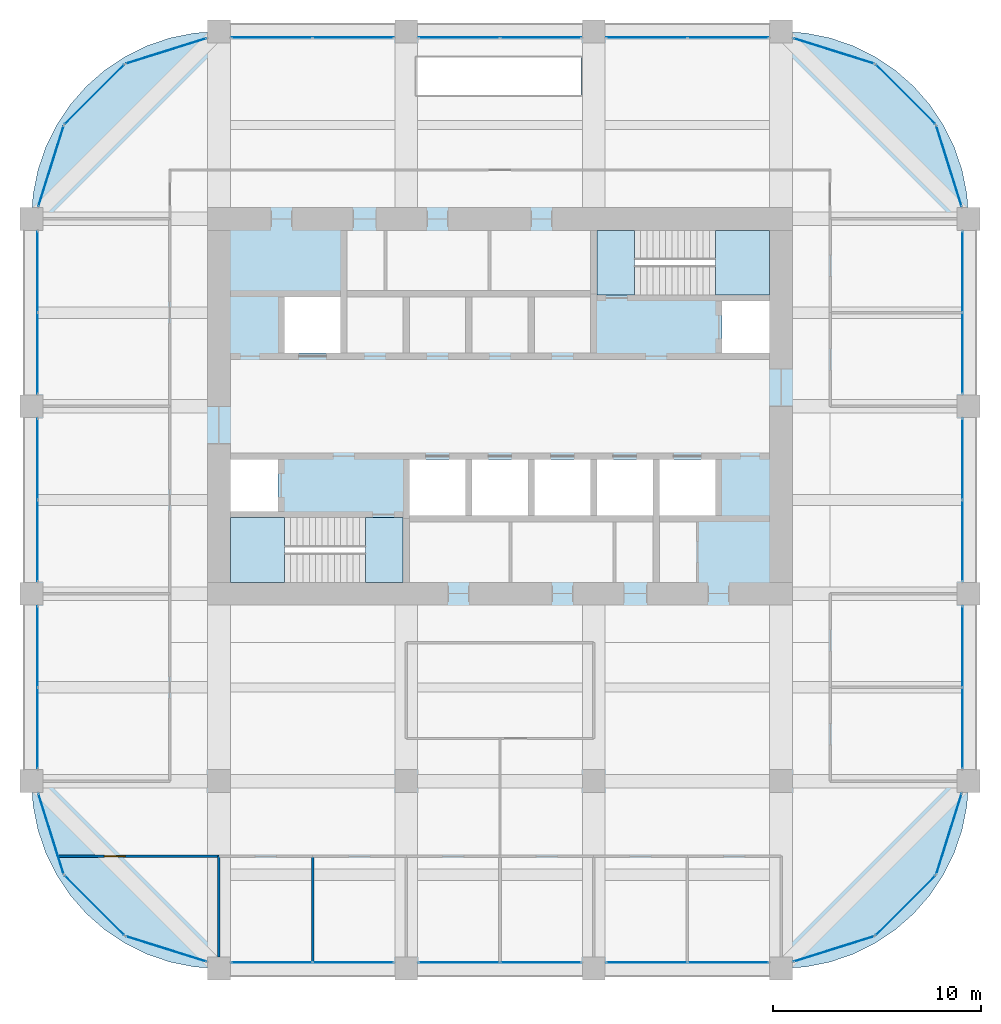
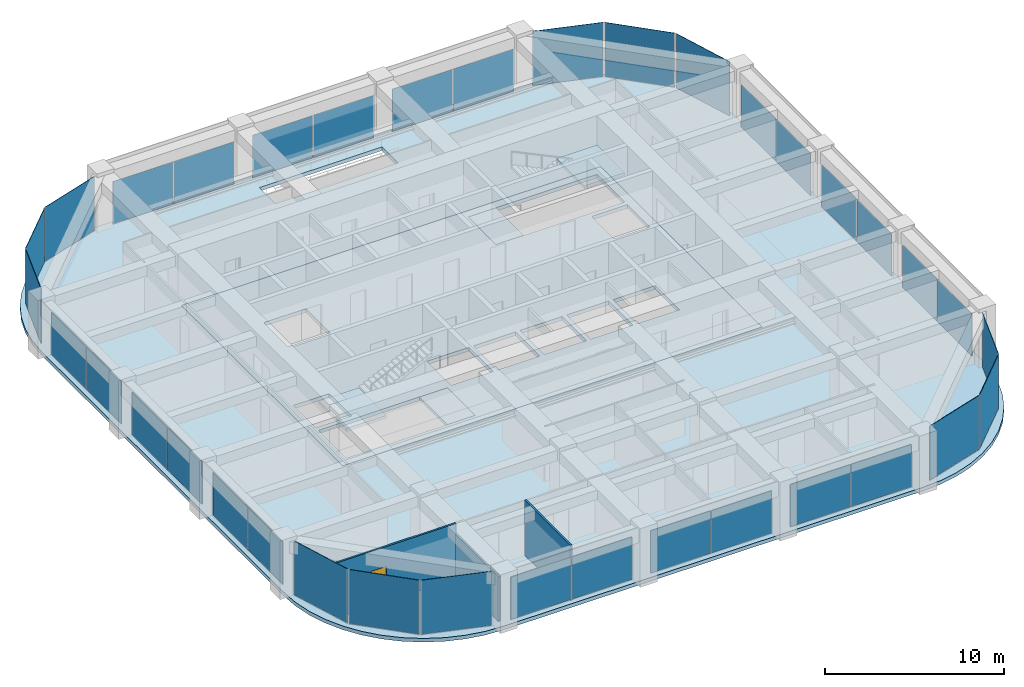
# One storey, part 40 of 44: 36 plates, 6 slabs, 3 walls, 1 door, 1 opening, 26 elements without a shape of their own.
"""IFC4 building model written with IfcOpenShell, lengths in metres."""

from ifc_helpers import new_model, si_unit, direction, frame, frame_2d, origin, origin_2d, place, context, subcontext, project, spatial, polyline, rectangle, outline, extrude, material, layer, layer_set, type_object, element, fill, aggregate, save


model = new_model("IFC4")

# Units and contexts
model_context = context("Model", 3, precision=1e-05, world=origin(), true_north=direction((0.0, 1.0)))
body_context = subcontext(model_context, "Body", "Model", "MODEL_VIEW")
ifc_project = project(units=[si_unit("LENGTHUNIT", "METRE"), si_unit("AREAUNIT", "SQUARE_METRE"), si_unit("VOLUMEUNIT", "CUBIC_METRE"), si_unit("PLANEANGLEUNIT", "RADIAN"), si_unit("MASSUNIT", "GRAM", prefix="KILO")], contexts=[model_context])

# Site, building, storey
site_placement = place(None, origin())
site = spatial("IfcSite", under=ifc_project, at=site_placement, CompositionType="ELEMENT")
building_placement = place(site_placement, origin())
building = spatial("IfcBuilding", under=site, at=building_placement, Name="Zorevar Civic Tower", CompositionType="ELEMENT")
storey_placement = place(building_placement, frame((0.0, 0.0, 295.39990234375)))
storey = spatial("IfcBuildingStorey", under=building, at=storey_placement, Name="L72", CompositionType="ELEMENT", Elevation=295.39990234375)

# Curtain wall, plates
ifc_material_1 = material(Name="Dark grey solar-control glass in black aluminium frame", Category="aluminium")
curtain_wall_type = type_object("IfcCurtainWallType", Name="Curtain wall CW5 top zone", PredefinedType="NOTDEFINED", material=ifc_material_1)
curtain_wall_1_placement = place(storey_placement, origin())
curtain_wall_1 = element("IfcCurtainWall", 1, at=curtain_wall_1_placement, inside=storey, type_object=curtain_wall_type, Name="CW5 L72", PredefinedType="NOTDEFINED")
ifc_material_2 = material(Name="Dark grey solar-control glass", Category="glass")
ifc_layer_1 = layer(ifc_material_2, 0.028076171875)
ifc_layer_set_1 = layer_set([ifc_layer_1], Name="CW5 panel 28")
plate_type = type_object("IfcPlateType", Name="CW5 panel 28", PredefinedType="CURTAIN_PANEL", material=ifc_layer_set_1)
plate_1_placement = place(storey_placement, frame((20.5400390625, 0.300048828125, 0.06005859375), z_axis=(0.0, 0.0, 1.0), x_axis=(1.0, 0.0, 0.0)))
plate_1 = element("IfcPlate", 2, at=plate_1_placement, type_object=plate_type, Name="CW5 panel 1.1", PredefinedType="CURTAIN_PANEL", context=body_context, shape_type="SweptSolid", body=[
    extrude(rectangle(XDim=3.860107421875, YDim=0.028076171875, at=origin_2d()), origin(), (0.0, 0.0, 1.0), 2.889892578125),
])
plate_2_placement = place(storey_placement, frame((24.4599609375, 0.300048828125, 0.06005859375), z_axis=(0.0, 0.0, 1.0), x_axis=(1.0, 0.0, 0.0)))
plate_2 = element("IfcPlate", 3, at=plate_2_placement, type_object=plate_type, Name="CW5 panel 2.1", PredefinedType="CURTAIN_PANEL", context=body_context, shape_type="SweptSolid", body=[
    extrude(rectangle(XDim=3.860107421875, YDim=0.028076171875, at=origin_2d()), origin(), (0.0, 0.0, 1.0), 2.889892578125),
])
aggregate(curtain_wall_1, [plate_1, plate_2])

curtain_wall_2_placement = place(storey_placement, origin())
curtain_wall_2 = element("IfcCurtainWall", 4, at=curtain_wall_2_placement, inside=storey, type_object=curtain_wall_type, Name="CW5 L72", PredefinedType="NOTDEFINED")
plate_3_placement = place(storey_placement, frame((20.5400390625, 44.699951171875, 0.06005859375), z_axis=(0.0, 0.0, 1.0), x_axis=(1.0, 0.0, 0.0)))
plate_3 = element("IfcPlate", 5, at=plate_3_placement, type_object=plate_type, Name="CW5 panel 1.1", PredefinedType="CURTAIN_PANEL", context=body_context, shape_type="SweptSolid", body=[
    extrude(rectangle(XDim=3.860107421875, YDim=0.028076171875, at=origin_2d()), origin(), (0.0, 0.0, 1.0), 2.889892578125),
])
plate_4_placement = place(storey_placement, frame((24.4599609375, 44.699951171875, 0.06005859375), z_axis=(0.0, 0.0, 1.0), x_axis=(1.0, 0.0, 0.0)))
plate_4 = element("IfcPlate", 6, at=plate_4_placement, type_object=plate_type, Name="CW5 panel 2.1", PredefinedType="CURTAIN_PANEL", context=body_context, shape_type="SweptSolid", body=[
    extrude(rectangle(XDim=3.860107421875, YDim=0.028076171875, at=origin_2d()), origin(), (0.0, 0.0, 1.0), 2.889892578125),
])
aggregate(curtain_wall_2, [plate_3, plate_4])

curtain_wall_3_placement = place(storey_placement, origin())
curtain_wall_3 = element("IfcCurtainWall", 7, at=curtain_wall_3_placement, inside=storey, type_object=curtain_wall_type, Name="CW5 L72", PredefinedType="NOTDEFINED")
plate_5_placement = place(storey_placement, frame((29.5400390625, 0.300048828125, 0.06005859375), z_axis=(0.0, 0.0, 1.0), x_axis=(1.0, 0.0, 0.0)))
plate_5 = element("IfcPlate", 8, at=plate_5_placement, type_object=plate_type, Name="CW5 panel 1.1", PredefinedType="CURTAIN_PANEL", context=body_context, shape_type="SweptSolid", body=[
    extrude(rectangle(XDim=3.860107421875, YDim=0.028076171875, at=origin_2d()), origin(), (0.0, 0.0, 1.0), 2.889892578125),
])
plate_6_placement = place(storey_placement, frame((33.4599609375, 0.300048828125, 0.06005859375), z_axis=(0.0, 0.0, 1.0), x_axis=(1.0, 0.0, 0.0)))
plate_6 = element("IfcPlate", 9, at=plate_6_placement, type_object=plate_type, Name="CW5 panel 2.1", PredefinedType="CURTAIN_PANEL", context=body_context, shape_type="SweptSolid", body=[
    extrude(rectangle(XDim=3.860107421875, YDim=0.028076171875, at=origin_2d()), origin(), (0.0, 0.0, 1.0), 2.889892578125),
])
aggregate(curtain_wall_3, [plate_5, plate_6])

curtain_wall_4_placement = place(storey_placement, origin())
curtain_wall_4 = element("IfcCurtainWall", 10, at=curtain_wall_4_placement, inside=storey, type_object=curtain_wall_type, Name="CW5 L72", PredefinedType="NOTDEFINED")
plate_7_placement = place(storey_placement, frame((29.5400390625, 44.699951171875, 0.06005859375), z_axis=(0.0, 0.0, 1.0), x_axis=(1.0, 0.0, 0.0)))
plate_7 = element("IfcPlate", 11, at=plate_7_placement, type_object=plate_type, Name="CW5 panel 1.1", PredefinedType="CURTAIN_PANEL", context=body_context, shape_type="SweptSolid", body=[
    extrude(rectangle(XDim=3.860107421875, YDim=0.028076171875, at=origin_2d()), origin(), (0.0, 0.0, 1.0), 2.889892578125),
])
plate_8_placement = place(storey_placement, frame((33.4599609375, 44.699951171875, 0.06005859375), z_axis=(0.0, 0.0, 1.0), x_axis=(1.0, 0.0, 0.0)))
plate_8 = element("IfcPlate", 12, at=plate_8_placement, type_object=plate_type, Name="CW5 panel 2.1", PredefinedType="CURTAIN_PANEL", context=body_context, shape_type="SweptSolid", body=[
    extrude(rectangle(XDim=3.860107421875, YDim=0.028076171875, at=origin_2d()), origin(), (0.0, 0.0, 1.0), 2.889892578125),
])
aggregate(curtain_wall_4, [plate_7, plate_8])

curtain_wall_5_placement = place(storey_placement, origin())
curtain_wall_5 = element("IfcCurtainWall", 13, at=curtain_wall_5_placement, inside=storey, type_object=curtain_wall_type, Name="CW5 L72", PredefinedType="NOTDEFINED")
plate_9_placement = place(storey_placement, frame((38.5400390625, 0.300048828125, 0.06005859375), z_axis=(0.0, 0.0, 1.0), x_axis=(1.0, 0.0, 0.0)))
plate_9 = element("IfcPlate", 14, at=plate_9_placement, type_object=plate_type, Name="CW5 panel 1.1", PredefinedType="CURTAIN_PANEL", context=body_context, shape_type="SweptSolid", body=[
    extrude(rectangle(XDim=3.860107421875, YDim=0.028076171875, at=origin_2d()), origin(), (0.0, 0.0, 1.0), 2.889892578125),
])
plate_10_placement = place(storey_placement, frame((42.4599609375, 0.300048828125, 0.06005859375), z_axis=(0.0, 0.0, 1.0), x_axis=(1.0, 0.0, 0.0)))
plate_10 = element("IfcPlate", 15, at=plate_10_placement, type_object=plate_type, Name="CW5 panel 2.1", PredefinedType="CURTAIN_PANEL", context=body_context, shape_type="SweptSolid", body=[
    extrude(rectangle(XDim=3.860107421875, YDim=0.028076171875, at=origin_2d()), origin(), (0.0, 0.0, 1.0), 2.889892578125),
])
aggregate(curtain_wall_5, [plate_9, plate_10])

curtain_wall_6_placement = place(storey_placement, origin())
curtain_wall_6 = element("IfcCurtainWall", 16, at=curtain_wall_6_placement, inside=storey, type_object=curtain_wall_type, Name="CW5 L72", PredefinedType="NOTDEFINED")
plate_11_placement = place(storey_placement, frame((38.5400390625, 44.699951171875, 0.06005859375), z_axis=(0.0, 0.0, 1.0), x_axis=(1.0, 0.0, 0.0)))
plate_11 = element("IfcPlate", 17, at=plate_11_placement, type_object=plate_type, Name="CW5 panel 1.1", PredefinedType="CURTAIN_PANEL", context=body_context, shape_type="SweptSolid", body=[
    extrude(rectangle(XDim=3.860107421875, YDim=0.028076171875, at=origin_2d()), origin(), (0.0, 0.0, 1.0), 2.889892578125),
])
plate_12_placement = place(storey_placement, frame((42.4599609375, 44.699951171875, 0.06005859375), z_axis=(0.0, 0.0, 1.0), x_axis=(1.0, 0.0, 0.0)))
plate_12 = element("IfcPlate", 18, at=plate_12_placement, type_object=plate_type, Name="CW5 panel 2.1", PredefinedType="CURTAIN_PANEL", context=body_context, shape_type="SweptSolid", body=[
    extrude(rectangle(XDim=3.860107421875, YDim=0.028076171875, at=origin_2d()), origin(), (0.0, 0.0, 1.0), 2.889892578125),
])
aggregate(curtain_wall_6, [plate_11, plate_12])

curtain_wall_7_placement = place(storey_placement, origin())
curtain_wall_7 = element("IfcCurtainWall", 19, at=curtain_wall_7_placement, inside=storey, type_object=curtain_wall_type, Name="CW5 L72", PredefinedType="NOTDEFINED")
plate_13_placement = place(storey_placement, frame((9.300048828125, 11.5400390625, 0.06005859375), z_axis=(0.0, 0.0, 1.0), x_axis=(0.0, 1.0, 0.0)))
plate_13 = element("IfcPlate", 20, at=plate_13_placement, type_object=plate_type, Name="CW5 panel 1.1", PredefinedType="CURTAIN_PANEL", context=body_context, shape_type="SweptSolid", body=[
    extrude(rectangle(XDim=3.860107421875, YDim=0.028076171875, at=origin_2d()), origin(), (0.0, 0.0, 1.0), 2.889892578125),
])
plate_14_placement = place(storey_placement, frame((9.300048828125, 15.4599609375, 0.06005859375), z_axis=(0.0, 0.0, 1.0), x_axis=(0.0, 1.0, 0.0)))
plate_14 = element("IfcPlate", 21, at=plate_14_placement, type_object=plate_type, Name="CW5 panel 2.1", PredefinedType="CURTAIN_PANEL", context=body_context, shape_type="SweptSolid", body=[
    extrude(rectangle(XDim=3.860107421875, YDim=0.028076171875, at=origin_2d()), origin(), (0.0, 0.0, 1.0), 2.889892578125),
])
aggregate(curtain_wall_7, [plate_13, plate_14])

curtain_wall_8_placement = place(storey_placement, origin())
curtain_wall_8 = element("IfcCurtainWall", 22, at=curtain_wall_8_placement, inside=storey, type_object=curtain_wall_type, Name="CW5 L72", PredefinedType="NOTDEFINED")
plate_15_placement = place(storey_placement, frame((53.699951171875, 11.5400390625, 0.06005859375), z_axis=(0.0, 0.0, 1.0), x_axis=(0.0, 1.0, 0.0)))
plate_15 = element("IfcPlate", 23, at=plate_15_placement, type_object=plate_type, Name="CW5 panel 1.1", PredefinedType="CURTAIN_PANEL", context=body_context, shape_type="SweptSolid", body=[
    extrude(rectangle(XDim=3.860107421875, YDim=0.028076171875, at=origin_2d()), origin(), (0.0, 0.0, 1.0), 2.889892578125),
])
plate_16_placement = place(storey_placement, frame((53.699951171875, 15.4599609375, 0.06005859375), z_axis=(0.0, 0.0, 1.0), x_axis=(0.0, 1.0, 0.0)))
plate_16 = element("IfcPlate", 24, at=plate_16_placement, type_object=plate_type, Name="CW5 panel 2.1", PredefinedType="CURTAIN_PANEL", context=body_context, shape_type="SweptSolid", body=[
    extrude(rectangle(XDim=3.860107421875, YDim=0.028076171875, at=origin_2d()), origin(), (0.0, 0.0, 1.0), 2.889892578125),
])
aggregate(curtain_wall_8, [plate_15, plate_16])

curtain_wall_9_placement = place(storey_placement, origin())
curtain_wall_9 = element("IfcCurtainWall", 25, at=curtain_wall_9_placement, inside=storey, type_object=curtain_wall_type, Name="CW5 L72", PredefinedType="NOTDEFINED")
plate_17_placement = place(storey_placement, frame((9.300048828125, 20.5400390625, 0.06005859375), z_axis=(0.0, 0.0, 1.0), x_axis=(0.0, 1.0, 0.0)))
plate_17 = element("IfcPlate", 26, at=plate_17_placement, type_object=plate_type, Name="CW5 panel 1.1", PredefinedType="CURTAIN_PANEL", context=body_context, shape_type="SweptSolid", body=[
    extrude(rectangle(XDim=3.860107421875, YDim=0.028076171875, at=origin_2d()), origin(), (0.0, 0.0, 1.0), 2.889892578125),
])
plate_18_placement = place(storey_placement, frame((9.300048828125, 24.4599609375, 0.06005859375), z_axis=(0.0, 0.0, 1.0), x_axis=(0.0, 1.0, 0.0)))
plate_18 = element("IfcPlate", 27, at=plate_18_placement, type_object=plate_type, Name="CW5 panel 2.1", PredefinedType="CURTAIN_PANEL", context=body_context, shape_type="SweptSolid", body=[
    extrude(rectangle(XDim=3.860107421875, YDim=0.028076171875, at=origin_2d()), origin(), (0.0, 0.0, 1.0), 2.889892578125),
])
aggregate(curtain_wall_9, [plate_17, plate_18])

curtain_wall_10_placement = place(storey_placement, origin())
curtain_wall_10 = element("IfcCurtainWall", 28, at=curtain_wall_10_placement, inside=storey, type_object=curtain_wall_type, Name="CW5 L72", PredefinedType="NOTDEFINED")
plate_19_placement = place(storey_placement, frame((53.699951171875, 20.5400390625, 0.06005859375), z_axis=(0.0, 0.0, 1.0), x_axis=(0.0, 1.0, 0.0)))
plate_19 = element("IfcPlate", 29, at=plate_19_placement, type_object=plate_type, Name="CW5 panel 1.1", PredefinedType="CURTAIN_PANEL", context=body_context, shape_type="SweptSolid", body=[
    extrude(rectangle(XDim=3.860107421875, YDim=0.028076171875, at=origin_2d()), origin(), (0.0, 0.0, 1.0), 2.889892578125),
])
plate_20_placement = place(storey_placement, frame((53.699951171875, 24.4599609375, 0.06005859375), z_axis=(0.0, 0.0, 1.0), x_axis=(0.0, 1.0, 0.0)))
plate_20 = element("IfcPlate", 30, at=plate_20_placement, type_object=plate_type, Name="CW5 panel 2.1", PredefinedType="CURTAIN_PANEL", context=body_context, shape_type="SweptSolid", body=[
    extrude(rectangle(XDim=3.860107421875, YDim=0.028076171875, at=origin_2d()), origin(), (0.0, 0.0, 1.0), 2.889892578125),
])
aggregate(curtain_wall_10, [plate_19, plate_20])

curtain_wall_11_placement = place(storey_placement, origin())
curtain_wall_11 = element("IfcCurtainWall", 31, at=curtain_wall_11_placement, inside=storey, type_object=curtain_wall_type, Name="CW5 L72", PredefinedType="NOTDEFINED")
plate_21_placement = place(storey_placement, frame((9.300048828125, 29.5400390625, 0.06005859375), z_axis=(0.0, 0.0, 1.0), x_axis=(0.0, 1.0, 0.0)))
plate_21 = element("IfcPlate", 32, at=plate_21_placement, type_object=plate_type, Name="CW5 panel 1.1", PredefinedType="CURTAIN_PANEL", context=body_context, shape_type="SweptSolid", body=[
    extrude(rectangle(XDim=3.860107421875, YDim=0.028076171875, at=origin_2d()), origin(), (0.0, 0.0, 1.0), 2.889892578125),
])
plate_22_placement = place(storey_placement, frame((9.300048828125, 33.4599609375, 0.06005859375), z_axis=(0.0, 0.0, 1.0), x_axis=(0.0, 1.0, 0.0)))
plate_22 = element("IfcPlate", 33, at=plate_22_placement, type_object=plate_type, Name="CW5 panel 2.1", PredefinedType="CURTAIN_PANEL", context=body_context, shape_type="SweptSolid", body=[
    extrude(rectangle(XDim=3.860107421875, YDim=0.028076171875, at=origin_2d()), origin(), (0.0, 0.0, 1.0), 2.889892578125),
])
aggregate(curtain_wall_11, [plate_21, plate_22])

curtain_wall_12_placement = place(storey_placement, origin())
curtain_wall_12 = element("IfcCurtainWall", 34, at=curtain_wall_12_placement, inside=storey, type_object=curtain_wall_type, Name="CW5 L72", PredefinedType="NOTDEFINED")
plate_23_placement = place(storey_placement, frame((53.699951171875, 29.5400390625, 0.06005859375), z_axis=(0.0, 0.0, 1.0), x_axis=(0.0, 1.0, 0.0)))
plate_23 = element("IfcPlate", 35, at=plate_23_placement, type_object=plate_type, Name="CW5 panel 1.1", PredefinedType="CURTAIN_PANEL", context=body_context, shape_type="SweptSolid", body=[
    extrude(rectangle(XDim=3.860107421875, YDim=0.028076171875, at=origin_2d()), origin(), (0.0, 0.0, 1.0), 2.889892578125),
])
plate_24_placement = place(storey_placement, frame((53.699951171875, 33.4599609375, 0.06005859375), z_axis=(0.0, 0.0, 1.0), x_axis=(0.0, 1.0, 0.0)))
plate_24 = element("IfcPlate", 36, at=plate_24_placement, type_object=plate_type, Name="CW5 panel 2.1", PredefinedType="CURTAIN_PANEL", context=body_context, shape_type="SweptSolid", body=[
    extrude(rectangle(XDim=3.860107421875, YDim=0.028076171875, at=origin_2d()), origin(), (0.0, 0.0, 1.0), 2.889892578125),
])
aggregate(curtain_wall_12, [plate_23, plate_24])

# Curtain wall, plate
curtain_wall_13_placement = place(storey_placement, origin())
curtain_wall_13 = element("IfcCurtainWall", 37, at=curtain_wall_13_placement, inside=storey, type_object=curtain_wall_type, Name="CW5 L72", PredefinedType="NOTDEFINED")
plate_25_placement = place(storey_placement, frame((47.52880859375, 0.938232421875, 0.06005859375), z_axis=(0.0, 0.0, 1.0), x_axis=(0.954153437674, 0.299317920238, 0.0)))
plate_25 = element("IfcPlate", 38, at=plate_25_placement, type_object=plate_type, Name="CW5 panel 1.1", PredefinedType="CURTAIN_PANEL", context=body_context, shape_type="SweptSolid", body=[
    extrude(rectangle(XDim=4.028076171875, YDim=0.028076171875, at=origin_2d()), origin(), (0.0, 0.0, 1.0), 3.68994140625),
])
aggregate(curtain_wall_13, [plate_25])

curtain_wall_14_placement = place(storey_placement, origin())
curtain_wall_14 = element("IfcCurtainWall", 39, at=curtain_wall_14_placement, inside=storey, type_object=curtain_wall_type, Name="CW5 L72", PredefinedType="NOTDEFINED")
plate_26_placement = place(storey_placement, frame((50.974365234375, 3.025634765625, 0.06005859375), z_axis=(0.0, 0.0, 1.0), x_axis=(0.707106781187, 0.707106781187, 0.0)))
plate_26 = element("IfcPlate", 40, at=plate_26_placement, type_object=plate_type, Name="CW5 panel 1.1", PredefinedType="CURTAIN_PANEL", context=body_context, shape_type="SweptSolid", body=[
    extrude(rectangle(XDim=4.028076171875, YDim=0.028076171875, at=origin_2d()), origin(), (0.0, 0.0, 1.0), 3.68994140625),
])
aggregate(curtain_wall_14, [plate_26])

curtain_wall_15_placement = place(storey_placement, origin())
curtain_wall_15 = element("IfcCurtainWall", 41, at=curtain_wall_15_placement, inside=storey, type_object=curtain_wall_type, Name="CW5 L72", PredefinedType="NOTDEFINED")
plate_27_placement = place(storey_placement, frame((53.061767578125, 6.47119140625, 0.06005859375), z_axis=(0.0, 0.0, 1.0), x_axis=(0.299317920238, 0.954153437674, 0.0)))
plate_27 = element("IfcPlate", 42, at=plate_27_placement, type_object=plate_type, Name="CW5 panel 1.1", PredefinedType="CURTAIN_PANEL", context=body_context, shape_type="SweptSolid", body=[
    extrude(rectangle(XDim=4.028076171875, YDim=0.028076171875, at=origin_2d()), origin(), (0.0, 0.0, 1.0), 3.68994140625),
])
aggregate(curtain_wall_15, [plate_27])

curtain_wall_16_placement = place(storey_placement, origin())
curtain_wall_16 = element("IfcCurtainWall", 43, at=curtain_wall_16_placement, inside=storey, type_object=curtain_wall_type, Name="CW5 L72", PredefinedType="NOTDEFINED")
plate_28_placement = place(storey_placement, frame((53.061767578125, 38.52880859375, 0.06005859375), z_axis=(0.0, 0.0, 1.0), x_axis=(-0.299317920238, 0.954153437674, 0.0)))
plate_28 = element("IfcPlate", 44, at=plate_28_placement, type_object=plate_type, Name="CW5 panel 1.1", PredefinedType="CURTAIN_PANEL", context=body_context, shape_type="SweptSolid", body=[
    extrude(rectangle(XDim=4.028076171875, YDim=0.028076171875, at=origin_2d()), origin(), (0.0, 0.0, 1.0), 3.68994140625),
])
aggregate(curtain_wall_16, [plate_28])

curtain_wall_17_placement = place(storey_placement, origin())
curtain_wall_17 = element("IfcCurtainWall", 45, at=curtain_wall_17_placement, inside=storey, type_object=curtain_wall_type, Name="CW5 L72", PredefinedType="NOTDEFINED")
plate_29_placement = place(storey_placement, frame((50.974365234375, 41.974365234375, 0.06005859375), z_axis=(0.0, 0.0, 1.0), x_axis=(-0.707106781187, 0.707106781187, 0.0)))
plate_29 = element("IfcPlate", 46, at=plate_29_placement, type_object=plate_type, Name="CW5 panel 1.1", PredefinedType="CURTAIN_PANEL", context=body_context, shape_type="SweptSolid", body=[
    extrude(rectangle(XDim=4.028076171875, YDim=0.028076171875, at=origin_2d()), origin(), (0.0, 0.0, 1.0), 3.68994140625),
])
aggregate(curtain_wall_17, [plate_29])

curtain_wall_18_placement = place(storey_placement, origin())
curtain_wall_18 = element("IfcCurtainWall", 47, at=curtain_wall_18_placement, inside=storey, type_object=curtain_wall_type, Name="CW5 L72", PredefinedType="NOTDEFINED")
plate_30_placement = place(storey_placement, frame((47.52880859375, 44.061767578125, 0.06005859375), z_axis=(0.0, 0.0, 1.0), x_axis=(-0.954153437674, 0.299317920238, 0.0)))
plate_30 = element("IfcPlate", 48, at=plate_30_placement, type_object=plate_type, Name="CW5 panel 1.1", PredefinedType="CURTAIN_PANEL", context=body_context, shape_type="SweptSolid", body=[
    extrude(rectangle(XDim=4.028076171875, YDim=0.028076171875, at=origin_2d()), origin(), (0.0, 0.0, 1.0), 3.68994140625),
])
aggregate(curtain_wall_18, [plate_30])

curtain_wall_19_placement = place(storey_placement, origin())
curtain_wall_19 = element("IfcCurtainWall", 49, at=curtain_wall_19_placement, inside=storey, type_object=curtain_wall_type, Name="CW5 L72", PredefinedType="NOTDEFINED")
plate_31_placement = place(storey_placement, frame((15.47119140625, 44.061767578125, 0.06005859375), z_axis=(0.0, 0.0, 1.0), x_axis=(-0.954153437674, -0.299317920238, 0.0)))
plate_31 = element("IfcPlate", 50, at=plate_31_placement, type_object=plate_type, Name="CW5 panel 1.1", PredefinedType="CURTAIN_PANEL", context=body_context, shape_type="SweptSolid", body=[
    extrude(rectangle(XDim=4.028076171875, YDim=0.028076171875, at=origin_2d()), origin(), (0.0, 0.0, 1.0), 3.68994140625),
])
aggregate(curtain_wall_19, [plate_31])

curtain_wall_20_placement = place(storey_placement, origin())
curtain_wall_20 = element("IfcCurtainWall", 51, at=curtain_wall_20_placement, inside=storey, type_object=curtain_wall_type, Name="CW5 L72", PredefinedType="NOTDEFINED")
plate_32_placement = place(storey_placement, frame((12.025634765625, 41.974365234375, 0.06005859375), z_axis=(0.0, 0.0, 1.0), x_axis=(-0.707106781187, -0.707106781187, 0.0)))
plate_32 = element("IfcPlate", 52, at=plate_32_placement, type_object=plate_type, Name="CW5 panel 1.1", PredefinedType="CURTAIN_PANEL", context=body_context, shape_type="SweptSolid", body=[
    extrude(rectangle(XDim=4.028076171875, YDim=0.028076171875, at=origin_2d()), origin(), (0.0, 0.0, 1.0), 3.68994140625),
])
aggregate(curtain_wall_20, [plate_32])

curtain_wall_21_placement = place(storey_placement, origin())
curtain_wall_21 = element("IfcCurtainWall", 53, at=curtain_wall_21_placement, inside=storey, type_object=curtain_wall_type, Name="CW5 L72", PredefinedType="NOTDEFINED")
plate_33_placement = place(storey_placement, frame((9.938232421875, 38.52880859375, 0.06005859375), z_axis=(0.0, 0.0, 1.0), x_axis=(-0.299317920238, -0.954153437674, 0.0)))
plate_33 = element("IfcPlate", 54, at=plate_33_placement, type_object=plate_type, Name="CW5 panel 1.1", PredefinedType="CURTAIN_PANEL", context=body_context, shape_type="SweptSolid", body=[
    extrude(rectangle(XDim=4.028076171875, YDim=0.028076171875, at=origin_2d()), origin(), (0.0, 0.0, 1.0), 3.68994140625),
])
aggregate(curtain_wall_21, [plate_33])

curtain_wall_22_placement = place(storey_placement, origin())
curtain_wall_22 = element("IfcCurtainWall", 55, at=curtain_wall_22_placement, inside=storey, type_object=curtain_wall_type, Name="CW5 L72", PredefinedType="NOTDEFINED")
plate_34_placement = place(storey_placement, frame((9.938232421875, 6.47119140625, 0.06005859375), z_axis=(0.0, 0.0, 1.0), x_axis=(0.299317920238, -0.954153437674, 0.0)))
plate_34 = element("IfcPlate", 56, at=plate_34_placement, type_object=plate_type, Name="CW5 panel 1.1", PredefinedType="CURTAIN_PANEL", context=body_context, shape_type="SweptSolid", body=[
    extrude(rectangle(XDim=4.028076171875, YDim=0.028076171875, at=origin_2d()), origin(), (0.0, 0.0, 1.0), 3.68994140625),
])
aggregate(curtain_wall_22, [plate_34])

curtain_wall_23_placement = place(storey_placement, origin())
curtain_wall_23 = element("IfcCurtainWall", 57, at=curtain_wall_23_placement, inside=storey, type_object=curtain_wall_type, Name="CW5 L72", PredefinedType="NOTDEFINED")
plate_35_placement = place(storey_placement, frame((12.025634765625, 3.025634765625, 0.06005859375), z_axis=(0.0, 0.0, 1.0), x_axis=(0.707106781187, -0.707106781187, 0.0)))
plate_35 = element("IfcPlate", 58, at=plate_35_placement, type_object=plate_type, Name="CW5 panel 1.1", PredefinedType="CURTAIN_PANEL", context=body_context, shape_type="SweptSolid", body=[
    extrude(rectangle(XDim=4.028076171875, YDim=0.028076171875, at=origin_2d()), origin(), (0.0, 0.0, 1.0), 3.68994140625),
])
aggregate(curtain_wall_23, [plate_35])

curtain_wall_24_placement = place(storey_placement, origin())
curtain_wall_24 = element("IfcCurtainWall", 59, at=curtain_wall_24_placement, inside=storey, type_object=curtain_wall_type, Name="CW5 L72", PredefinedType="NOTDEFINED")
plate_36_placement = place(storey_placement, frame((15.47119140625, 0.938232421875, 0.06005859375), z_axis=(0.0, 0.0, 1.0), x_axis=(0.954153437674, -0.299317920238, 0.0)))
plate_36 = element("IfcPlate", 60, at=plate_36_placement, type_object=plate_type, Name="CW5 panel 1.1", PredefinedType="CURTAIN_PANEL", context=body_context, shape_type="SweptSolid", body=[
    extrude(rectangle(XDim=4.028076171875, YDim=0.028076171875, at=origin_2d()), origin(), (0.0, 0.0, 1.0), 3.68994140625),
])
aggregate(curtain_wall_24, [plate_36])

# Slabs
ifc_material_3 = material(Name="Concrete C40/50", Category="concrete")
ifc_layer_2 = layer(ifc_material_3, 0.25)
ifc_layer_set_2 = layer_set([ifc_layer_2], Name="Floor slab 250")
slab_type_1 = type_object("IfcSlabType", Name="Floor slab 250", PredefinedType="FLOOR", material=ifc_layer_set_2)
slab_1_placement = place(storey_placement, frame((0.0, 0.0, -0.25)))
element("IfcSlab", 61, at=slab_1_placement, inside=storey, type_object=slab_type_1, Name="Floor slab L72", PredefinedType="FLOOR", context=body_context, shape_type="SweptSolid", body=[
    extrude(outline(polyline([(45.0, 0.0), (46.1748046875, 0.076904296875), (47.329345703125, 0.306640625), (48.444091796875, 0.68505859375), (49.5, 1.205810546875), (50.478759765625, 1.85986328125), (51.364013671875, 2.635986328125), (52.14013671875, 3.521240234375), (52.794189453125, 4.5), (53.31494140625, 5.555908203125), (53.693359375, 6.670654296875), (53.923095703125, 7.8251953125), (54.0, 9.0), (54.0, 36.0), (53.923095703125, 37.1748046875), (53.693359375, 38.329345703125), (53.31494140625, 39.444091796875), (52.794189453125, 40.5), (52.14013671875, 41.478759765625), (51.364013671875, 42.364013671875), (50.478759765625, 43.14013671875), (49.5, 43.794189453125), (48.444091796875, 44.31494140625), (47.329345703125, 44.693359375), (46.1748046875, 44.923095703125), (45.0, 45.0), (18.0, 45.0), (16.8251953125, 44.923095703125), (15.670654296875, 44.693359375), (14.555908203125, 44.31494140625), (13.5, 43.794189453125), (12.521240234375, 43.14013671875), (11.635986328125, 42.364013671875), (10.85986328125, 41.478759765625), (10.205810546875, 40.5), (9.68505859375, 39.444091796875), (9.306640625, 38.329345703125), (9.076904296875, 37.1748046875), (9.0, 36.0), (9.0, 9.0), (9.076904296875, 7.8251953125), (9.306640625, 6.670654296875), (9.68505859375, 5.555908203125), (10.205810546875, 4.5), (10.85986328125, 3.521240234375), (11.635986328125, 2.635986328125), (12.521240234375, 1.85986328125), (13.5, 1.205810546875), (14.555908203125, 0.68505859375), (15.670654296875, 0.306640625), (16.8251953125, 0.076904296875), (18.0, 0.0), (45.0, 0.0)]), holes=[polyline([(18.0, 18.0), (45.0, 18.0), (45.0, 36.0), (18.0, 36.0), (18.0, 18.0)]), polyline([(27.5, 41.949951171875), (35.39990234375, 41.949951171875), (35.39990234375, 43.75), (27.5, 43.75), (27.5, 41.949951171875)])]), origin(), (0.0, 0.0, 1.0), 0.25),
])
slab_2_placement = place(storey_placement, frame((0.0, 0.0, -0.25)))
element("IfcSlab", 62, at=slab_2_placement, inside=storey, type_object=slab_type_1, Name="Core floor L72", PredefinedType="FLOOR", context=body_context, shape_type="SweptSolid", body=[
    extrude(outline(polyline([(18.0, 18.0), (45.0, 18.0), (45.0, 36.0), (18.0, 36.0), (18.0, 18.0)]), holes=[polyline([(18.550048828125, 18.550048828125), (26.85009765625, 18.550048828125), (26.85009765625, 21.64990234375), (18.550048828125, 21.64990234375), (18.550048828125, 18.550048828125)]), polyline([(36.14990234375, 32.35009765625), (44.449951171875, 32.35009765625), (44.449951171875, 35.449951171875), (36.14990234375, 35.449951171875), (36.14990234375, 32.35009765625)]), polyline([(18.550048828125, 21.949951171875), (20.85009765625, 21.949951171875), (20.85009765625, 24.449951171875), (18.550048828125, 24.449951171875), (18.550048828125, 21.949951171875)]), polyline([(42.14990234375, 29.550048828125), (44.449951171875, 29.550048828125), (44.449951171875, 32.050048828125), (42.14990234375, 32.050048828125), (42.14990234375, 29.550048828125)]), polyline([(27.14990234375, 21.75), (29.85009765625, 21.75), (29.85009765625, 24.449951171875), (27.14990234375, 24.449951171875), (27.14990234375, 21.75)]), polyline([(30.14990234375, 21.75), (32.85009765625, 21.75), (32.85009765625, 24.449951171875), (30.14990234375, 24.449951171875), (30.14990234375, 21.75)]), polyline([(33.14990234375, 21.75), (35.85009765625, 21.75), (35.85009765625, 24.449951171875), (33.14990234375, 24.449951171875), (33.14990234375, 21.75)]), polyline([(36.14990234375, 21.75), (38.85009765625, 21.75), (38.85009765625, 24.449951171875), (36.14990234375, 24.449951171875), (36.14990234375, 21.75)]), polyline([(39.14990234375, 21.75), (41.85009765625, 21.75), (41.85009765625, 24.449951171875), (39.14990234375, 24.449951171875), (39.14990234375, 21.75)]), polyline([(21.14990234375, 29.550048828125), (23.85009765625, 29.550048828125), (23.85009765625, 32.25), (21.14990234375, 32.25), (21.14990234375, 29.550048828125)])]), origin(), (0.0, 0.0, 1.0), 0.25),
])

# Stair, slabs
ifc_material_4 = material(Name="Precast concrete C40/50", Category="concrete")
stair_type = type_object("IfcStairType", Name="Stair ST 28R", PredefinedType="HALF_TURN_STAIR", material=ifc_material_4)
stair_1_placement = place(storey_placement, origin())
stair_1 = element("IfcStair", 63, at=stair_1_placement, inside=storey, type_object=stair_type, Name="Stair ST1 L72", PredefinedType="HALF_TURN_STAIR")
ifc_material_5 = material(Name="Concrete C40/50", Category="concrete")
ifc_layer_3 = layer(ifc_material_5, 0.199951171875)
ifc_layer_set_3 = layer_set([ifc_layer_3], Name="Stair landing 200")
slab_type_2 = type_object("IfcSlabType", Name="Stair landing 200", PredefinedType="LANDING", material=ifc_layer_set_3)
slab_3_placement = place(storey_placement, frame((0.0, 0.0, -0.199951171875)))
slab_3 = element("IfcSlab", 64, at=slab_3_placement, type_object=slab_type_2, Name="ST1 landing 1", PredefinedType="LANDING", context=body_context, shape_type="SweptSolid", body=[
    extrude(outline(polyline([(25.050048828125, 18.550048828125), (26.85009765625, 18.550048828125), (26.85009765625, 21.64990234375), (25.050048828125, 21.64990234375), (25.050048828125, 18.550048828125)])), origin(), (0.0, 0.0, 1.0), 0.199951171875),
])
slab_4_placement = place(storey_placement, frame((0.0, 0.0, 1.800048828125)))
slab_4 = element("IfcSlab", 65, at=slab_4_placement, type_object=slab_type_2, Name="ST1 landing 2", PredefinedType="LANDING", context=body_context, shape_type="SweptSolid", body=[
    extrude(outline(polyline([(18.550048828125, 18.550048828125), (21.14990234375, 18.550048828125), (21.14990234375, 21.64990234375), (18.550048828125, 21.64990234375), (18.550048828125, 18.550048828125)])), origin(), (0.0, 0.0, 1.0), 0.199951171875),
])
aggregate(stair_1, [slab_3, slab_4])

stair_2_placement = place(storey_placement, origin())
stair_2 = element("IfcStair", 66, at=stair_2_placement, inside=storey, type_object=stair_type, Name="Stair ST2 L72", PredefinedType="HALF_TURN_STAIR")
slab_5_placement = place(storey_placement, frame((0.0, 0.0, -0.199951171875)))
slab_5 = element("IfcSlab", 67, at=slab_5_placement, type_object=slab_type_2, Name="ST2 landing 1", PredefinedType="LANDING", context=body_context, shape_type="SweptSolid", body=[
    extrude(outline(polyline([(37.949951171875, 32.35009765625), (36.14990234375, 32.35009765625), (36.14990234375, 35.449951171875), (37.949951171875, 35.449951171875), (37.949951171875, 32.35009765625)])), origin(), (0.0, 0.0, 1.0), 0.199951171875),
])
slab_6_placement = place(storey_placement, frame((0.0, 0.0, 1.800048828125)))
slab_6 = element("IfcSlab", 68, at=slab_6_placement, type_object=slab_type_2, Name="ST2 landing 2", PredefinedType="LANDING", context=body_context, shape_type="SweptSolid", body=[
    extrude(outline(polyline([(44.449951171875, 32.35009765625), (41.85009765625, 32.35009765625), (41.85009765625, 35.449951171875), (44.449951171875, 35.449951171875), (44.449951171875, 32.35009765625)])), origin(), (0.0, 0.0, 1.0), 0.199951171875),
])
aggregate(stair_2, [slab_5, slab_6])

# Wall, opening, door
ifc_material_6 = material(Name="Gypsum board on steel studs", Category="steel")
ifc_layer_4 = layer(ifc_material_6, 0.1201171875)
ifc_layer_set_4 = layer_set([ifc_layer_4], Name="Partition 120")
wall_type = type_object("IfcWallType", Name="Partition 120", PredefinedType="PARTITIONING", material=ifc_layer_set_4)
wall_1_placement = place(storey_placement, frame((10.309814453125, 5.39990234375, 0.0), z_axis=(0.0, 0.0, 1.0), x_axis=(1.0, 0.0, 0.0)))
wall_1 = element("IfcWall", 69, at=wall_1_placement, inside=storey, type_object=wall_type, Name="Partition 120 L72", PredefinedType="PARTITIONING", context=body_context, shape_type="SweptSolid", body=[
    extrude(rectangle(XDim=7.690185546875, YDim=0.1201171875, at=frame_2d((3.84521484375, 0.0))), origin(), (0.0, 0.0, 1.0), 3.75),
])
opening_placement = place(wall_1_placement, frame((2.190185546875, 0.0, 0.0)))
opening = element("IfcOpeningElement", 70, at=opening_placement, cuts=wall_1, Name="Opening L72.23", PredefinedType="OPENING", context=body_context, shape_type="SweptSolid", body=[
    extrude(rectangle(XDim=1.0, YDim=2.39990234375, at=frame_2d((0.5, 1.199951171875))), frame((0.0, 0.070068359375, 0.0), z_axis=(0.0, -1.0, 0.0), x_axis=(1.0, 0.0, 0.0)), (0.0, 0.0, 1.0), 0.14013671875),
])
ifc_material_7 = material(Name="Timber door set", Category="wood")
door_type = type_object("IfcDoorType", Name="Door D1 1000x2400", OperationType="SINGLE_SWING_LEFT", PredefinedType="DOOR", material=ifc_material_7)
door_placement = place(opening_placement, origin())
door = element("IfcDoor", 71, at=door_placement, inside=storey, type_object=door_type, Name="Door L72 D1", OperationType="SINGLE_SWING_RIGHT", OverallHeight=2.39990234375, OverallWidth=1.0, PredefinedType="DOOR", context=body_context, shape_type="SweptSolid", body=[
    extrude(rectangle(XDim=1.0, YDim=2.39990234375, at=frame_2d((0.5, 1.199951171875))), frame((0.0, 0.02490234375, 0.0), z_axis=(0.0, -1.0, 0.0), x_axis=(1.0, 0.0, 0.0)), (0.0, 0.0, 1.0), 0.050048828125),
])
fill(opening, door)

# Walls
wall_2_placement = place(storey_placement, frame((18.0, 0.550048828125, 0.0), z_axis=(0.0, 0.0, 1.0), x_axis=(0.0, 1.0, 0.0)))
element("IfcWall", 72, at=wall_2_placement, inside=storey, type_object=wall_type, Name="Partition 120 L72", PredefinedType="PARTITIONING", context=body_context, shape_type="SweptSolid", body=[
    extrude(rectangle(XDim=4.849853515625, YDim=0.1201171875, at=frame_2d((2.4248046875, 0.0))), origin(), (0.0, 0.0, 1.0), 3.050048828125),
])
wall_3_placement = place(storey_placement, frame((22.5, 0.31005859375, 0.0), z_axis=(0.0, 0.0, 1.0), x_axis=(0.0, 1.0, 0.0)))
element("IfcWall", 73, at=wall_3_placement, inside=storey, type_object=wall_type, Name="Partition 120 L72", PredefinedType="PARTITIONING", context=body_context, shape_type="SweptSolid", body=[
    extrude(rectangle(XDim=5.08984375, YDim=0.1201171875, at=frame_2d((2.544921875, 0.0))), origin(), (0.0, 0.0, 1.0), 3.75),
])

save(model, "model.ifc")
